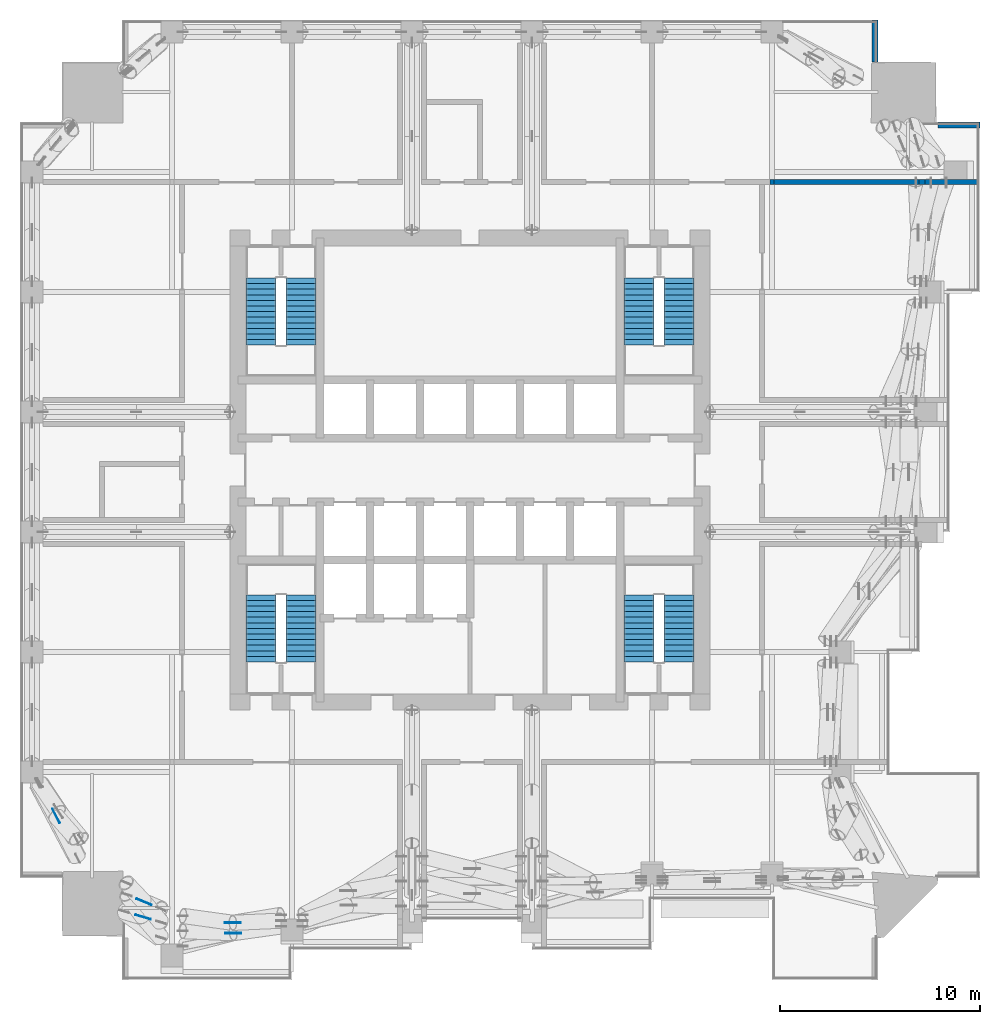
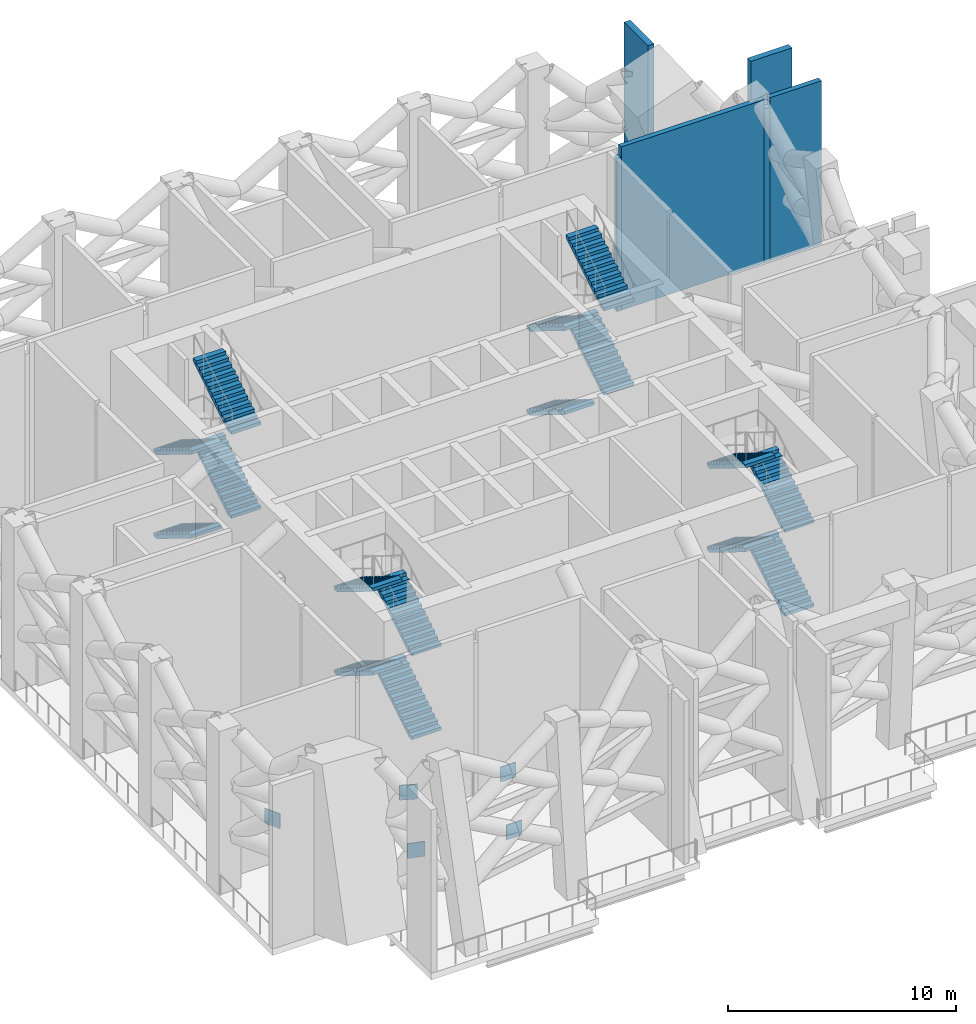
# One storey, part 10 of 19: 16 stair flights, 6 walls, 5 discrete accessories, 4 elements without a shape of their own.
"""IFC4 building model written with IfcOpenShell, lengths in metres."""

from ifc_helpers import new_model, si_unit, direction, frame, frame_2d, origin, origin_2d, place, context, subcontext, project, spatial, polyline, rectangle, outline, extrude, material, layer, layer_set, type_object, element, aggregate, save


model = new_model("IFC4")

# Units and contexts
model_context = context("Model", 3, precision=1e-05, world=origin(), true_north=direction((0.0, 1.0)))
body_context = subcontext(model_context, "Body", "Model", "MODEL_VIEW")
ifc_project = project(units=[si_unit("LENGTHUNIT", "METRE"), si_unit("AREAUNIT", "SQUARE_METRE"), si_unit("VOLUMEUNIT", "CUBIC_METRE"), si_unit("PLANEANGLEUNIT", "RADIAN"), si_unit("MASSUNIT", "GRAM", prefix="KILO")], contexts=[model_context])

# Site, building, storey
site_placement = place(None, origin())
site = spatial("IfcSite", under=ifc_project, at=site_placement, CompositionType="ELEMENT")
building_placement = place(site_placement, origin())
building = spatial("IfcBuilding", under=site, at=building_placement, Name="Amberfall Residences", CompositionType="ELEMENT")
storey_placement = place(building_placement, frame((0.0, 0.0, 124.89990234375)))
storey = spatial("IfcBuildingStorey", under=building, at=storey_placement, Name="L34", CompositionType="ELEMENT", Elevation=124.89990234375)

# Walls
ifc_material_1 = material(Name="Reinforced concrete C40", Category="concrete")
ifc_layer_1 = layer(ifc_material_1, 0.25)
ifc_layer_set_1 = layer_set([ifc_layer_1], Name="Compartment wall 250")
wall_type_1 = type_object("IfcWallType", Name="Compartment wall 250", PredefinedType="SOLIDWALL", material=ifc_layer_set_1)
wall_1_placement = place(storey_placement, frame((89.49462890625, 59.89990234375, 0.0), z_axis=(0.0, 0.0, 1.0), x_axis=(1.0, 0.0, 0.0)))
element("IfcWall", 1, at=wall_1_placement, inside=storey, type_object=wall_type_1, Name="Compartment wall 250 L34 040", PredefinedType="SOLIDWALL", context=body_context, shape_type="SweptSolid", body=[
    extrude(rectangle(XDim=0.210693359375, YDim=0.25, at=frame_2d((0.10546875, 0.0))), origin(), (0.0, 0.0, 1.0), 8.211181640625),
])
wall_2_placement = place(storey_placement, frame((89.705322265625, 59.89990234375, 0.0), z_axis=(0.0, 0.0, 1.0), x_axis=(1.0, 0.0, 0.0)))
element("IfcWall", 2, at=wall_2_placement, inside=storey, type_object=wall_type_1, Name="Compartment wall 250 L34 041", PredefinedType="SOLIDWALL", context=body_context, shape_type="SweptSolid", body=[
    extrude(rectangle(XDim=7.24462890625, YDim=0.25, at=frame_2d((3.622314453125, 0.0))), origin(), (0.0, 0.0, 1.0), 8.75),
])
wall_3_placement = place(storey_placement, frame((96.949951171875, 59.89990234375, 0.0), z_axis=(0.0, 0.0, 1.0), x_axis=(1.0, 0.0, 0.0)))
element("IfcWall", 3, at=wall_3_placement, inside=storey, type_object=wall_type_1, Name="Compartment wall 250 L34 042", PredefinedType="SOLIDWALL", context=body_context, shape_type="SweptSolid", body=[
    extrude(rectangle(XDim=0.300048828125, YDim=0.25, at=frame_2d((0.14990234375, 0.0))), origin(), (0.0, 0.0, 1.0), 8.25),
])
wall_4_placement = place(storey_placement, frame((97.25, 59.89990234375, 0.0), z_axis=(0.0, 0.0, 1.0), x_axis=(1.0, 0.0, 0.0)))
element("IfcWall", 4, at=wall_4_placement, inside=storey, type_object=wall_type_1, Name="Compartment wall 250 L34 043", PredefinedType="SOLIDWALL", context=body_context, shape_type="SweptSolid", body=[
    extrude(rectangle(XDim=2.60009765625, YDim=0.25, at=frame_2d((1.300048828125, 0.0))), origin(), (0.0, 0.0, 1.0), 8.75),
])
ifc_material_2 = material(Name="Bronze aluminium louvre cladding on insulated backing", Category="aluminium")
ifc_layer_2 = layer(ifc_material_2, 0.300048828125)
ifc_layer_set_2 = layer_set([ifc_layer_2], Name="Louvre clad wall 300")
wall_type_2 = type_object("IfcWallType", Name="Louvre clad wall 300", PredefinedType="SOLIDWALL", material=ifc_layer_set_2)
for number, where, z_axis, x_axis, name in (
    (5, (100.0, 62.75, 0.0), (0.0, 0.0, 1.0), (-1.0, 0.0, 0.0), "External wall L34 NE"),
    (6, (94.75, 65.89990234375, 0.0), (0.0, 0.0, 1.0), (0.0, 1.0, 0.0), "External wall L34 NE"),
):
    element("IfcWall", number, at=place(storey_placement, frame(where, z_axis=z_axis, x_axis=x_axis)), inside=storey, type_object=wall_type_2, Name=name, PredefinedType="SOLIDWALL", context=body_context, shape_type="SweptSolid", body=[
        extrude(rectangle(XDim=2.10009765625, YDim=0.300048828125, at=frame_2d((1.050048828125, 0.0))), origin(), (0.0, 0.0, 1.0), 8.75),
    ])

# Stair, stair flights
ifc_material_3 = material(Name="Concrete C40", Category="concrete")
stair_type = type_object("IfcStairType", Name="Exit stair 52 risers 173.1 mm", PredefinedType="HALF_TURN_STAIR", material=ifc_material_3)
stair_1_placement = place(storey_placement, origin())
stair_1 = element("IfcStair", 7, at=stair_1_placement, inside=storey, type_object=stair_type, Name="L34 Exit stair 1", PredefinedType="HALF_TURN_STAIR")
stair_flight_type = type_object("IfcStairFlightType", Name="Stair flight 13 risers 173.1 mm", PredefinedType="STRAIGHT", material=ifc_material_3)
stair_flight_1_placement = place(storey_placement, frame((66.050048828125, 35.89990234375, 0.0), z_axis=(0.0, 0.0, 1.0), x_axis=(0.0, 1.0, 0.0)))
stair_flight_1 = element("IfcStairFlight", 8, at=stair_flight_1_placement, type_object=stair_flight_type, Name="ST4 flight 1", NumberOfRisers=13, NumberOfTreads=12, PredefinedType="STRAIGHT", RiserHeight=0.173076923, TreadLength=0.28, context=body_context, shape_type="SweptSolid", body=[
    extrude(outline(polyline([(0.0, 0.0), (0.0, 0.173095703125), (0.280029296875, 0.173095703125), (0.280029296875, 0.34619140625), (0.56005859375, 0.34619140625), (0.56005859375, 0.519287109375), (0.840087890625, 0.519287109375), (0.840087890625, 0.6923828125), (1.1201171875, 0.6923828125), (1.1201171875, 0.865478515625), (1.39990234375, 0.865478515625), (1.39990234375, 1.03857421875), (1.679931640625, 1.03857421875), (1.679931640625, 1.21142578125), (1.9599609375, 1.21142578125), (1.9599609375, 1.384521484375), (2.239990234375, 1.384521484375), (2.239990234375, 1.5576171875), (2.52001953125, 1.5576171875), (2.52001953125, 1.730712890625), (2.800048828125, 1.730712890625), (2.800048828125, 1.90380859375), (3.080078125, 1.90380859375), (3.080078125, 2.076904296875), (3.360107421875, 2.076904296875), (3.360107421875, 2.25), (3.360107421875, 1.900634765625), (0.28515625, 0.0), (0.0, 0.0)])), frame((0.0, 0.75, 0.0), z_axis=(0.0, -1.0, 0.0), x_axis=(1.0, 0.0, 0.0)), (0.0, 0.0, 1.0), 1.5),
])
stair_flight_2_placement = place(storey_placement, frame((64.050048828125, 39.260009765625, 2.25), z_axis=(0.0, 0.0, 1.0), x_axis=(0.0, -1.0, 0.0)))
stair_flight_2 = element("IfcStairFlight", 9, at=stair_flight_2_placement, type_object=stair_flight_type, Name="ST4 flight 2", NumberOfRisers=13, NumberOfTreads=12, PredefinedType="STRAIGHT", RiserHeight=0.173076923, TreadLength=0.28, context=body_context, shape_type="SweptSolid", body=[
    extrude(outline(polyline([(0.0, 0.0), (0.0, 0.173095703125), (0.280029296875, 0.173095703125), (0.280029296875, 0.34619140625), (0.56005859375, 0.34619140625), (0.56005859375, 0.519287109375), (0.840087890625, 0.519287109375), (0.840087890625, 0.6923828125), (1.1201171875, 0.6923828125), (1.1201171875, 0.865478515625), (1.39990234375, 0.865478515625), (1.39990234375, 1.03857421875), (1.679931640625, 1.03857421875), (1.679931640625, 1.21142578125), (1.9599609375, 1.21142578125), (1.9599609375, 1.384521484375), (2.239990234375, 1.384521484375), (2.239990234375, 1.5576171875), (2.52001953125, 1.5576171875), (2.52001953125, 1.730712890625), (2.800048828125, 1.730712890625), (2.800048828125, 1.90380859375), (3.080078125, 1.90380859375), (3.080078125, 2.076904296875), (3.360107421875, 2.076904296875), (3.360107421875, 2.25), (3.360107421875, 1.900634765625), (0.28515625, 0.0), (0.0, 0.0)])), frame((0.0, 0.75, 0.0), z_axis=(0.0, -1.0, 0.0), x_axis=(1.0, 0.0, 0.0)), (0.0, 0.0, 1.0), 1.5),
])
stair_flight_3_placement = place(storey_placement, frame((66.050048828125, 35.89990234375, 4.5), z_axis=(0.0, 0.0, 1.0), x_axis=(0.0, 1.0, 0.0)))
stair_flight_3 = element("IfcStairFlight", 10, at=stair_flight_3_placement, type_object=stair_flight_type, Name="ST4 flight 3", NumberOfRisers=13, NumberOfTreads=12, PredefinedType="STRAIGHT", RiserHeight=0.173076923, TreadLength=0.28, context=body_context, shape_type="SweptSolid", body=[
    extrude(outline(polyline([(0.0, 0.0), (0.0, 0.173095703125), (0.280029296875, 0.173095703125), (0.280029296875, 0.34619140625), (0.56005859375, 0.34619140625), (0.56005859375, 0.519287109375), (0.840087890625, 0.519287109375), (0.840087890625, 0.6923828125), (1.1201171875, 0.6923828125), (1.1201171875, 0.865478515625), (1.39990234375, 0.865478515625), (1.39990234375, 1.03857421875), (1.679931640625, 1.03857421875), (1.679931640625, 1.21142578125), (1.9599609375, 1.21142578125), (1.9599609375, 1.384521484375), (2.239990234375, 1.384521484375), (2.239990234375, 1.5576171875), (2.52001953125, 1.5576171875), (2.52001953125, 1.730712890625), (2.800048828125, 1.730712890625), (2.800048828125, 1.90380859375), (3.080078125, 1.90380859375), (3.080078125, 2.076904296875), (3.360107421875, 2.076904296875), (3.360107421875, 2.25), (3.360107421875, 1.900634765625), (0.28515625, 0.0), (0.0, 0.0)])), frame((0.0, 0.75, 0.0), z_axis=(0.0, -1.0, 0.0), x_axis=(1.0, 0.0, 0.0)), (0.0, 0.0, 1.0), 1.5),
])
stair_flight_4_placement = place(storey_placement, frame((64.050048828125, 39.260009765625, 6.75), z_axis=(0.0, 0.0, 1.0), x_axis=(0.0, -1.0, 0.0)))
stair_flight_4 = element("IfcStairFlight", 11, at=stair_flight_4_placement, type_object=stair_flight_type, Name="ST4 flight 4", NumberOfRisers=13, NumberOfTreads=12, PredefinedType="STRAIGHT", RiserHeight=0.173076923, TreadLength=0.28, context=body_context, shape_type="SweptSolid", body=[
    extrude(outline(polyline([(0.0, 0.0), (0.0, 0.173095703125), (0.280029296875, 0.173095703125), (0.280029296875, 0.34619140625), (0.56005859375, 0.34619140625), (0.56005859375, 0.519287109375), (0.840087890625, 0.519287109375), (0.840087890625, 0.6923828125), (1.1201171875, 0.6923828125), (1.1201171875, 0.865478515625), (1.39990234375, 0.865478515625), (1.39990234375, 1.03857421875), (1.679931640625, 1.03857421875), (1.679931640625, 1.21142578125), (1.9599609375, 1.21142578125), (1.9599609375, 1.384521484375), (2.239990234375, 1.384521484375), (2.239990234375, 1.5576171875), (2.52001953125, 1.5576171875), (2.52001953125, 1.730712890625), (2.800048828125, 1.730712890625), (2.800048828125, 1.90380859375), (3.080078125, 1.90380859375), (3.080078125, 2.076904296875), (3.360107421875, 2.076904296875), (3.360107421875, 2.25), (3.360107421875, 1.900634765625), (0.28515625, 0.0), (0.0, 0.0)])), frame((0.0, 0.75, 0.0), z_axis=(0.0, -1.0, 0.0), x_axis=(1.0, 0.0, 0.0)), (0.0, 0.0, 1.0), 1.5),
])
aggregate(stair_1, [stair_flight_1, stair_flight_2, stair_flight_3, stair_flight_4])

stair_2_placement = place(storey_placement, origin())
stair_2 = element("IfcStair", 12, at=stair_2_placement, inside=storey, type_object=stair_type, Name="L34 Exit stair 2", PredefinedType="HALF_TURN_STAIR")
stair_flight_5_placement = place(storey_placement, frame((84.949951171875, 35.89990234375, 0.0), z_axis=(0.0, 0.0, 1.0), x_axis=(0.0, 1.0, 0.0)))
stair_flight_5 = element("IfcStairFlight", 13, at=stair_flight_5_placement, type_object=stair_flight_type, Name="ST4 flight 1", NumberOfRisers=13, NumberOfTreads=12, PredefinedType="STRAIGHT", RiserHeight=0.173076923, TreadLength=0.28, context=body_context, shape_type="SweptSolid", body=[
    extrude(outline(polyline([(0.0, 0.0), (0.0, 0.173095703125), (0.280029296875, 0.173095703125), (0.280029296875, 0.34619140625), (0.56005859375, 0.34619140625), (0.56005859375, 0.519287109375), (0.840087890625, 0.519287109375), (0.840087890625, 0.6923828125), (1.1201171875, 0.6923828125), (1.1201171875, 0.865478515625), (1.39990234375, 0.865478515625), (1.39990234375, 1.03857421875), (1.679931640625, 1.03857421875), (1.679931640625, 1.21142578125), (1.9599609375, 1.21142578125), (1.9599609375, 1.384521484375), (2.239990234375, 1.384521484375), (2.239990234375, 1.5576171875), (2.52001953125, 1.5576171875), (2.52001953125, 1.730712890625), (2.800048828125, 1.730712890625), (2.800048828125, 1.90380859375), (3.080078125, 1.90380859375), (3.080078125, 2.076904296875), (3.360107421875, 2.076904296875), (3.360107421875, 2.25), (3.360107421875, 1.900634765625), (0.28515625, 0.0), (0.0, 0.0)])), frame((0.0, 0.75, 0.0), z_axis=(0.0, -1.0, 0.0), x_axis=(1.0, 0.0, 0.0)), (0.0, 0.0, 1.0), 1.5),
])
stair_flight_6_placement = place(storey_placement, frame((82.949951171875, 39.260009765625, 2.25), z_axis=(0.0, 0.0, 1.0), x_axis=(0.0, -1.0, 0.0)))
stair_flight_6 = element("IfcStairFlight", 14, at=stair_flight_6_placement, type_object=stair_flight_type, Name="ST4 flight 2", NumberOfRisers=13, NumberOfTreads=12, PredefinedType="STRAIGHT", RiserHeight=0.173076923, TreadLength=0.28, context=body_context, shape_type="SweptSolid", body=[
    extrude(outline(polyline([(0.0, 0.0), (0.0, 0.173095703125), (0.280029296875, 0.173095703125), (0.280029296875, 0.34619140625), (0.56005859375, 0.34619140625), (0.56005859375, 0.519287109375), (0.840087890625, 0.519287109375), (0.840087890625, 0.6923828125), (1.1201171875, 0.6923828125), (1.1201171875, 0.865478515625), (1.39990234375, 0.865478515625), (1.39990234375, 1.03857421875), (1.679931640625, 1.03857421875), (1.679931640625, 1.21142578125), (1.9599609375, 1.21142578125), (1.9599609375, 1.384521484375), (2.239990234375, 1.384521484375), (2.239990234375, 1.5576171875), (2.52001953125, 1.5576171875), (2.52001953125, 1.730712890625), (2.800048828125, 1.730712890625), (2.800048828125, 1.90380859375), (3.080078125, 1.90380859375), (3.080078125, 2.076904296875), (3.360107421875, 2.076904296875), (3.360107421875, 2.25), (3.360107421875, 1.900634765625), (0.28515625, 0.0), (0.0, 0.0)])), frame((0.0, 0.75, 0.0), z_axis=(0.0, -1.0, 0.0), x_axis=(1.0, 0.0, 0.0)), (0.0, 0.0, 1.0), 1.5),
])
stair_flight_7_placement = place(storey_placement, frame((84.949951171875, 35.89990234375, 4.5), z_axis=(0.0, 0.0, 1.0), x_axis=(0.0, 1.0, 0.0)))
stair_flight_7 = element("IfcStairFlight", 15, at=stair_flight_7_placement, type_object=stair_flight_type, Name="ST4 flight 3", NumberOfRisers=13, NumberOfTreads=12, PredefinedType="STRAIGHT", RiserHeight=0.173076923, TreadLength=0.28, context=body_context, shape_type="SweptSolid", body=[
    extrude(outline(polyline([(0.0, 0.0), (0.0, 0.173095703125), (0.280029296875, 0.173095703125), (0.280029296875, 0.34619140625), (0.56005859375, 0.34619140625), (0.56005859375, 0.519287109375), (0.840087890625, 0.519287109375), (0.840087890625, 0.6923828125), (1.1201171875, 0.6923828125), (1.1201171875, 0.865478515625), (1.39990234375, 0.865478515625), (1.39990234375, 1.03857421875), (1.679931640625, 1.03857421875), (1.679931640625, 1.21142578125), (1.9599609375, 1.21142578125), (1.9599609375, 1.384521484375), (2.239990234375, 1.384521484375), (2.239990234375, 1.5576171875), (2.52001953125, 1.5576171875), (2.52001953125, 1.730712890625), (2.800048828125, 1.730712890625), (2.800048828125, 1.90380859375), (3.080078125, 1.90380859375), (3.080078125, 2.076904296875), (3.360107421875, 2.076904296875), (3.360107421875, 2.25), (3.360107421875, 1.900634765625), (0.28515625, 0.0), (0.0, 0.0)])), frame((0.0, 0.75, 0.0), z_axis=(0.0, -1.0, 0.0), x_axis=(1.0, 0.0, 0.0)), (0.0, 0.0, 1.0), 1.5),
])
stair_flight_8_placement = place(storey_placement, frame((82.949951171875, 39.260009765625, 6.75), z_axis=(0.0, 0.0, 1.0), x_axis=(0.0, -1.0, 0.0)))
stair_flight_8 = element("IfcStairFlight", 16, at=stair_flight_8_placement, type_object=stair_flight_type, Name="ST4 flight 4", NumberOfRisers=13, NumberOfTreads=12, PredefinedType="STRAIGHT", RiserHeight=0.173076923, TreadLength=0.28, context=body_context, shape_type="SweptSolid", body=[
    extrude(outline(polyline([(0.0, 0.0), (0.0, 0.173095703125), (0.280029296875, 0.173095703125), (0.280029296875, 0.34619140625), (0.56005859375, 0.34619140625), (0.56005859375, 0.519287109375), (0.840087890625, 0.519287109375), (0.840087890625, 0.6923828125), (1.1201171875, 0.6923828125), (1.1201171875, 0.865478515625), (1.39990234375, 0.865478515625), (1.39990234375, 1.03857421875), (1.679931640625, 1.03857421875), (1.679931640625, 1.21142578125), (1.9599609375, 1.21142578125), (1.9599609375, 1.384521484375), (2.239990234375, 1.384521484375), (2.239990234375, 1.5576171875), (2.52001953125, 1.5576171875), (2.52001953125, 1.730712890625), (2.800048828125, 1.730712890625), (2.800048828125, 1.90380859375), (3.080078125, 1.90380859375), (3.080078125, 2.076904296875), (3.360107421875, 2.076904296875), (3.360107421875, 2.25), (3.360107421875, 1.900634765625), (0.28515625, 0.0), (0.0, 0.0)])), frame((0.0, 0.75, 0.0), z_axis=(0.0, -1.0, 0.0), x_axis=(1.0, 0.0, 0.0)), (0.0, 0.0, 1.0), 1.5),
])
aggregate(stair_2, [stair_flight_5, stair_flight_6, stair_flight_7, stair_flight_8])

stair_3_placement = place(storey_placement, origin())
stair_3 = element("IfcStair", 17, at=stair_3_placement, inside=storey, type_object=stair_type, Name="L34 Exit stair 3", PredefinedType="HALF_TURN_STAIR")
stair_flight_9_placement = place(storey_placement, frame((82.949951171875, 55.10009765625, 0.0), z_axis=(0.0, 0.0, 1.0), x_axis=(0.0, -1.0, 0.0)))
stair_flight_9 = element("IfcStairFlight", 18, at=stair_flight_9_placement, type_object=stair_flight_type, Name="ST4 flight 1", NumberOfRisers=13, NumberOfTreads=12, PredefinedType="STRAIGHT", RiserHeight=0.173076923, TreadLength=0.28, context=body_context, shape_type="SweptSolid", body=[
    extrude(outline(polyline([(0.0, 0.0), (0.0, 0.173095703125), (0.280029296875, 0.173095703125), (0.280029296875, 0.34619140625), (0.56005859375, 0.34619140625), (0.56005859375, 0.519287109375), (0.840087890625, 0.519287109375), (0.840087890625, 0.6923828125), (1.1201171875, 0.6923828125), (1.1201171875, 0.865478515625), (1.39990234375, 0.865478515625), (1.39990234375, 1.03857421875), (1.679931640625, 1.03857421875), (1.679931640625, 1.21142578125), (1.9599609375, 1.21142578125), (1.9599609375, 1.384521484375), (2.239990234375, 1.384521484375), (2.239990234375, 1.5576171875), (2.52001953125, 1.5576171875), (2.52001953125, 1.730712890625), (2.800048828125, 1.730712890625), (2.800048828125, 1.90380859375), (3.080078125, 1.90380859375), (3.080078125, 2.076904296875), (3.360107421875, 2.076904296875), (3.360107421875, 2.25), (3.360107421875, 1.900634765625), (0.28515625, 0.0), (0.0, 0.0)])), frame((0.0, 0.75, 0.0), z_axis=(0.0, -1.0, 0.0), x_axis=(1.0, 0.0, 0.0)), (0.0, 0.0, 1.0), 1.5),
])
stair_flight_10_placement = place(storey_placement, frame((84.949951171875, 51.739990234375, 2.25), z_axis=(0.0, 0.0, 1.0), x_axis=(0.0, 1.0, 0.0)))
stair_flight_10 = element("IfcStairFlight", 19, at=stair_flight_10_placement, type_object=stair_flight_type, Name="ST4 flight 2", NumberOfRisers=13, NumberOfTreads=12, PredefinedType="STRAIGHT", RiserHeight=0.173076923, TreadLength=0.28, context=body_context, shape_type="SweptSolid", body=[
    extrude(outline(polyline([(0.0, 0.0), (0.0, 0.173095703125), (0.280029296875, 0.173095703125), (0.280029296875, 0.34619140625), (0.56005859375, 0.34619140625), (0.56005859375, 0.519287109375), (0.840087890625, 0.519287109375), (0.840087890625, 0.6923828125), (1.1201171875, 0.6923828125), (1.1201171875, 0.865478515625), (1.39990234375, 0.865478515625), (1.39990234375, 1.03857421875), (1.679931640625, 1.03857421875), (1.679931640625, 1.21142578125), (1.9599609375, 1.21142578125), (1.9599609375, 1.384521484375), (2.239990234375, 1.384521484375), (2.239990234375, 1.5576171875), (2.52001953125, 1.5576171875), (2.52001953125, 1.730712890625), (2.800048828125, 1.730712890625), (2.800048828125, 1.90380859375), (3.080078125, 1.90380859375), (3.080078125, 2.076904296875), (3.360107421875, 2.076904296875), (3.360107421875, 2.25), (3.360107421875, 1.900634765625), (0.28515625, 0.0), (0.0, 0.0)])), frame((0.0, 0.75, 0.0), z_axis=(0.0, -1.0, 0.0), x_axis=(1.0, 0.0, 0.0)), (0.0, 0.0, 1.0), 1.5),
])
stair_flight_11_placement = place(storey_placement, frame((82.949951171875, 55.10009765625, 4.5), z_axis=(0.0, 0.0, 1.0), x_axis=(0.0, -1.0, 0.0)))
stair_flight_11 = element("IfcStairFlight", 20, at=stair_flight_11_placement, type_object=stair_flight_type, Name="ST4 flight 3", NumberOfRisers=13, NumberOfTreads=12, PredefinedType="STRAIGHT", RiserHeight=0.173076923, TreadLength=0.28, context=body_context, shape_type="SweptSolid", body=[
    extrude(outline(polyline([(0.0, 0.0), (0.0, 0.173095703125), (0.280029296875, 0.173095703125), (0.280029296875, 0.34619140625), (0.56005859375, 0.34619140625), (0.56005859375, 0.519287109375), (0.840087890625, 0.519287109375), (0.840087890625, 0.6923828125), (1.1201171875, 0.6923828125), (1.1201171875, 0.865478515625), (1.39990234375, 0.865478515625), (1.39990234375, 1.03857421875), (1.679931640625, 1.03857421875), (1.679931640625, 1.21142578125), (1.9599609375, 1.21142578125), (1.9599609375, 1.384521484375), (2.239990234375, 1.384521484375), (2.239990234375, 1.5576171875), (2.52001953125, 1.5576171875), (2.52001953125, 1.730712890625), (2.800048828125, 1.730712890625), (2.800048828125, 1.90380859375), (3.080078125, 1.90380859375), (3.080078125, 2.076904296875), (3.360107421875, 2.076904296875), (3.360107421875, 2.25), (3.360107421875, 1.900634765625), (0.28515625, 0.0), (0.0, 0.0)])), frame((0.0, 0.75, 0.0), z_axis=(0.0, -1.0, 0.0), x_axis=(1.0, 0.0, 0.0)), (0.0, 0.0, 1.0), 1.5),
])
stair_flight_12_placement = place(storey_placement, frame((84.949951171875, 51.739990234375, 6.75), z_axis=(0.0, 0.0, 1.0), x_axis=(0.0, 1.0, 0.0)))
stair_flight_12 = element("IfcStairFlight", 21, at=stair_flight_12_placement, type_object=stair_flight_type, Name="ST4 flight 4", NumberOfRisers=13, NumberOfTreads=12, PredefinedType="STRAIGHT", RiserHeight=0.173076923, TreadLength=0.28, context=body_context, shape_type="SweptSolid", body=[
    extrude(outline(polyline([(0.0, 0.0), (0.0, 0.173095703125), (0.280029296875, 0.173095703125), (0.280029296875, 0.34619140625), (0.56005859375, 0.34619140625), (0.56005859375, 0.519287109375), (0.840087890625, 0.519287109375), (0.840087890625, 0.6923828125), (1.1201171875, 0.6923828125), (1.1201171875, 0.865478515625), (1.39990234375, 0.865478515625), (1.39990234375, 1.03857421875), (1.679931640625, 1.03857421875), (1.679931640625, 1.21142578125), (1.9599609375, 1.21142578125), (1.9599609375, 1.384521484375), (2.239990234375, 1.384521484375), (2.239990234375, 1.5576171875), (2.52001953125, 1.5576171875), (2.52001953125, 1.730712890625), (2.800048828125, 1.730712890625), (2.800048828125, 1.90380859375), (3.080078125, 1.90380859375), (3.080078125, 2.076904296875), (3.360107421875, 2.076904296875), (3.360107421875, 2.25), (3.360107421875, 1.900634765625), (0.28515625, 0.0), (0.0, 0.0)])), frame((0.0, 0.75, 0.0), z_axis=(0.0, -1.0, 0.0), x_axis=(1.0, 0.0, 0.0)), (0.0, 0.0, 1.0), 1.5),
])
aggregate(stair_3, [stair_flight_9, stair_flight_10, stair_flight_11, stair_flight_12])

stair_4_placement = place(storey_placement, origin())
stair_4 = element("IfcStair", 22, at=stair_4_placement, inside=storey, type_object=stair_type, Name="L34 Exit stair 4", PredefinedType="HALF_TURN_STAIR")
stair_flight_13_placement = place(storey_placement, frame((64.050048828125, 55.10009765625, 0.0), z_axis=(0.0, 0.0, 1.0), x_axis=(0.0, -1.0, 0.0)))
stair_flight_13 = element("IfcStairFlight", 23, at=stair_flight_13_placement, type_object=stair_flight_type, Name="ST4 flight 1", NumberOfRisers=13, NumberOfTreads=12, PredefinedType="STRAIGHT", RiserHeight=0.173076923, TreadLength=0.28, context=body_context, shape_type="SweptSolid", body=[
    extrude(outline(polyline([(0.0, 0.0), (0.0, 0.173095703125), (0.280029296875, 0.173095703125), (0.280029296875, 0.34619140625), (0.56005859375, 0.34619140625), (0.56005859375, 0.519287109375), (0.840087890625, 0.519287109375), (0.840087890625, 0.6923828125), (1.1201171875, 0.6923828125), (1.1201171875, 0.865478515625), (1.39990234375, 0.865478515625), (1.39990234375, 1.03857421875), (1.679931640625, 1.03857421875), (1.679931640625, 1.21142578125), (1.9599609375, 1.21142578125), (1.9599609375, 1.384521484375), (2.239990234375, 1.384521484375), (2.239990234375, 1.5576171875), (2.52001953125, 1.5576171875), (2.52001953125, 1.730712890625), (2.800048828125, 1.730712890625), (2.800048828125, 1.90380859375), (3.080078125, 1.90380859375), (3.080078125, 2.076904296875), (3.360107421875, 2.076904296875), (3.360107421875, 2.25), (3.360107421875, 1.900634765625), (0.28515625, 0.0), (0.0, 0.0)])), frame((0.0, 0.75, 0.0), z_axis=(0.0, -1.0, 0.0), x_axis=(1.0, 0.0, 0.0)), (0.0, 0.0, 1.0), 1.5),
])
stair_flight_14_placement = place(storey_placement, frame((66.050048828125, 51.739990234375, 2.25), z_axis=(0.0, 0.0, 1.0), x_axis=(0.0, 1.0, 0.0)))
stair_flight_14 = element("IfcStairFlight", 24, at=stair_flight_14_placement, type_object=stair_flight_type, Name="ST4 flight 2", NumberOfRisers=13, NumberOfTreads=12, PredefinedType="STRAIGHT", RiserHeight=0.173076923, TreadLength=0.28, context=body_context, shape_type="SweptSolid", body=[
    extrude(outline(polyline([(0.0, 0.0), (0.0, 0.173095703125), (0.280029296875, 0.173095703125), (0.280029296875, 0.34619140625), (0.56005859375, 0.34619140625), (0.56005859375, 0.519287109375), (0.840087890625, 0.519287109375), (0.840087890625, 0.6923828125), (1.1201171875, 0.6923828125), (1.1201171875, 0.865478515625), (1.39990234375, 0.865478515625), (1.39990234375, 1.03857421875), (1.679931640625, 1.03857421875), (1.679931640625, 1.21142578125), (1.9599609375, 1.21142578125), (1.9599609375, 1.384521484375), (2.239990234375, 1.384521484375), (2.239990234375, 1.5576171875), (2.52001953125, 1.5576171875), (2.52001953125, 1.730712890625), (2.800048828125, 1.730712890625), (2.800048828125, 1.90380859375), (3.080078125, 1.90380859375), (3.080078125, 2.076904296875), (3.360107421875, 2.076904296875), (3.360107421875, 2.25), (3.360107421875, 1.900634765625), (0.28515625, 0.0), (0.0, 0.0)])), frame((0.0, 0.75, 0.0), z_axis=(0.0, -1.0, 0.0), x_axis=(1.0, 0.0, 0.0)), (0.0, 0.0, 1.0), 1.5),
])
stair_flight_15_placement = place(storey_placement, frame((64.050048828125, 55.10009765625, 4.5), z_axis=(0.0, 0.0, 1.0), x_axis=(0.0, -1.0, 0.0)))
stair_flight_15 = element("IfcStairFlight", 25, at=stair_flight_15_placement, type_object=stair_flight_type, Name="ST4 flight 3", NumberOfRisers=13, NumberOfTreads=12, PredefinedType="STRAIGHT", RiserHeight=0.173076923, TreadLength=0.28, context=body_context, shape_type="SweptSolid", body=[
    extrude(outline(polyline([(0.0, 0.0), (0.0, 0.173095703125), (0.280029296875, 0.173095703125), (0.280029296875, 0.34619140625), (0.56005859375, 0.34619140625), (0.56005859375, 0.519287109375), (0.840087890625, 0.519287109375), (0.840087890625, 0.6923828125), (1.1201171875, 0.6923828125), (1.1201171875, 0.865478515625), (1.39990234375, 0.865478515625), (1.39990234375, 1.03857421875), (1.679931640625, 1.03857421875), (1.679931640625, 1.21142578125), (1.9599609375, 1.21142578125), (1.9599609375, 1.384521484375), (2.239990234375, 1.384521484375), (2.239990234375, 1.5576171875), (2.52001953125, 1.5576171875), (2.52001953125, 1.730712890625), (2.800048828125, 1.730712890625), (2.800048828125, 1.90380859375), (3.080078125, 1.90380859375), (3.080078125, 2.076904296875), (3.360107421875, 2.076904296875), (3.360107421875, 2.25), (3.360107421875, 1.900634765625), (0.28515625, 0.0), (0.0, 0.0)])), frame((0.0, 0.75, 0.0), z_axis=(0.0, -1.0, 0.0), x_axis=(1.0, 0.0, 0.0)), (0.0, 0.0, 1.0), 1.5),
])
stair_flight_16_placement = place(storey_placement, frame((66.050048828125, 51.739990234375, 6.75), z_axis=(0.0, 0.0, 1.0), x_axis=(0.0, 1.0, 0.0)))
stair_flight_16 = element("IfcStairFlight", 26, at=stair_flight_16_placement, type_object=stair_flight_type, Name="ST4 flight 4", NumberOfRisers=13, NumberOfTreads=12, PredefinedType="STRAIGHT", RiserHeight=0.173076923, TreadLength=0.28, context=body_context, shape_type="SweptSolid", body=[
    extrude(outline(polyline([(0.0, 0.0), (0.0, 0.173095703125), (0.280029296875, 0.173095703125), (0.280029296875, 0.34619140625), (0.56005859375, 0.34619140625), (0.56005859375, 0.519287109375), (0.840087890625, 0.519287109375), (0.840087890625, 0.6923828125), (1.1201171875, 0.6923828125), (1.1201171875, 0.865478515625), (1.39990234375, 0.865478515625), (1.39990234375, 1.03857421875), (1.679931640625, 1.03857421875), (1.679931640625, 1.21142578125), (1.9599609375, 1.21142578125), (1.9599609375, 1.384521484375), (2.239990234375, 1.384521484375), (2.239990234375, 1.5576171875), (2.52001953125, 1.5576171875), (2.52001953125, 1.730712890625), (2.800048828125, 1.730712890625), (2.800048828125, 1.90380859375), (3.080078125, 1.90380859375), (3.080078125, 2.076904296875), (3.360107421875, 2.076904296875), (3.360107421875, 2.25), (3.360107421875, 1.900634765625), (0.28515625, 0.0), (0.0, 0.0)])), frame((0.0, 0.75, 0.0), z_axis=(0.0, -1.0, 0.0), x_axis=(1.0, 0.0, 0.0)), (0.0, 0.0, 1.0), 1.5),
])
aggregate(stair_4, [stair_flight_13, stair_flight_14, stair_flight_15, stair_flight_16])

# Discrete accessories
for number, where, z_axis, x_axis, name in (
    (27, (62.6533203125, 22.342041015625, 3.9306640625), (0.0, 0.0, 1.0), (1.0, 0.0, 0.0), "Connection plate L34"),
    (28, (62.643310546875, 22.857666015625, 6.72509765625), (0.0, 0.0, 1.0), (1.0, 0.0, 0.0), "Connection plate L34"),
    (29, (58.153076171875, 23.14599609375, 3.9521484375), (0.0, 0.0, 1.0), (0.95862122111, -0.284684657889, 0.0), "Connection plate L34"),
    (30, (58.2001953125, 23.905517578125, 6.56982421875), (0.0, 0.0, 1.0), (0.922018636035, -0.387145495653, 0.0), "Connection plate L34"),
    (31, (53.80078125, 28.206787109375, 4.09130859375), (0.0, 0.0, 1.0), (-0.453834982851, 0.891085746907, 0.0), "Connection plate L34"),
):
    element("IfcDiscreteAccessory", number, at=place(storey_placement, frame(where, z_axis=z_axis, x_axis=x_axis)), inside=storey, Name=name, PredefinedType="BRACKET", context=body_context, shape_type="SweptSolid", body=[
        extrude(rectangle(XDim=0.800048828125, YDim=0.0400390625, at=origin_2d()), origin(), (0.0, 0.0, 1.0), 0.800048828125),
    ])

save(model, "model.ifc")
